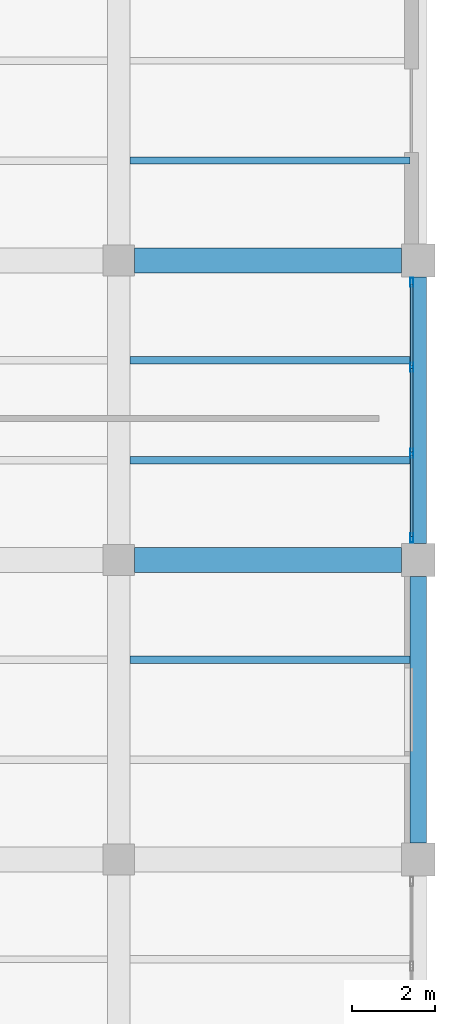
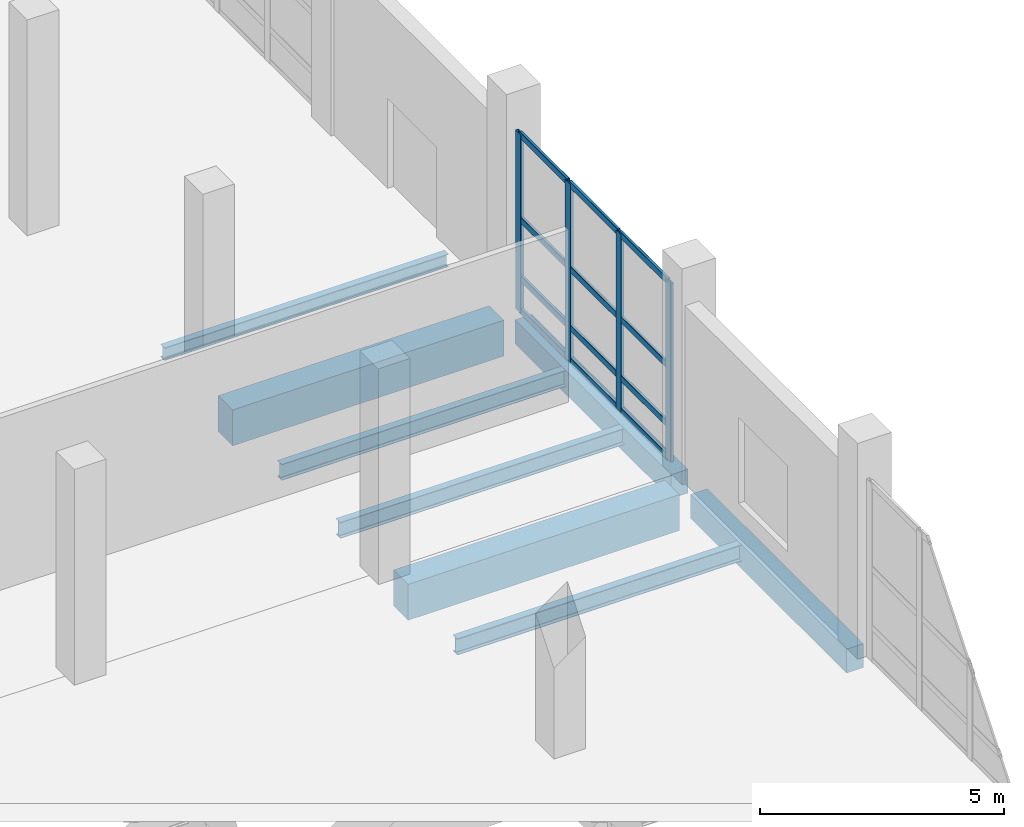
# One storey, part 67 of 137: 16 members, 8 beams, 1 element without a shape of its own.
"""IFC4 building model written with IfcOpenShell, lengths in metres."""

import ifcopenshell
import ifcopenshell.guid

model = None  # the IFC model being written
_history = None  # IfcOwnerHistory: only IFC2X3 demands one
_inside = {}  # id of a spatial element -> (the spatial element, [elements in it])
_under = {}  # id of a project, library or spatial element -> (it, [spatial elements below it])
_declared = {}  # id of a project -> (the project, [libraries it declares])
_typed = {}  # id of a type object -> (the type object, [elements of that type])
_made_of = {}  # id of a material, layer set ... -> (it, [elements and type objects made of it])


def new_model(schema):
    """Start an empty IFC model of exactly this schema.

    Asked for "IFC4X3", IfcOpenShell would pick the latest addendum, in which some entities
    have other attributes; the version numbers below select the first issue.
    IFC2X3 requires an IfcOwnerHistory on every rooted entity: one is made here for all.
    """
    global model, _history
    if schema == "IFC4X3":
        model = ifcopenshell.file(schema_version=(4, 3, 0, 0))
    else:
        model = ifcopenshell.file(schema=schema)
    _inside.clear()
    _under.clear()
    _declared.clear()
    _typed.clear()
    _made_of.clear()
    _history = None
    if model.schema == "IFC2X3":
        org = make("IfcOrganization", Name="unknown")
        user = make(
            "IfcPersonAndOrganization",
            ThePerson=make("IfcPerson", FamilyName="unknown"),
            TheOrganization=org,
        )
        app = make(
            "IfcApplication",
            ApplicationDeveloper=org,
            Version="unknown",
            ApplicationFullName="unknown",
            ApplicationIdentifier="unknown",
        )
        _history = make(
            "IfcOwnerHistory",
            OwningUser=user,
            OwningApplication=app,
            ChangeAction="ADDED",
            CreationDate=0,
        )
    return model


def make(cls, **values):
    """One entity of the class cls with the attributes given. An attribute that is None is left unset."""
    return model.create_entity(
        cls, **{name: value for name, value in values.items() if value is not None}
    )


def rooted(cls, **values):
    """An entity with a GlobalId (a new one), such as an element, a storey or a relation."""
    return make(cls, GlobalId=ifcopenshell.guid.new(), OwnerHistory=_history, **values)


def si_unit(unit_type, name, prefix=None):
    """IfcSIUnit, for example si_unit("LENGTHUNIT", "METRE", prefix="MILLI")."""
    return make("IfcSIUnit", UnitType=unit_type, Prefix=prefix, Name=name)


def assignment(units):
    """IfcUnitAssignment: the units of a project."""
    return None if units is None else make("IfcUnitAssignment", Units=units)


def point(xyz):
    """IfcCartesianPoint."""
    return None if xyz is None else make("IfcCartesianPoint", Coordinates=xyz)


def direction(xyz):
    """IfcDirection."""
    return None if xyz is None else make("IfcDirection", DirectionRatios=xyz)


def frame(location, z_axis=None, x_axis=None):
    """IfcAxis2Placement3D, a coordinate frame: its origin and axes. An axis left out is left unset."""
    return make(
        "IfcAxis2Placement3D",
        Location=point(location),
        Axis=direction(z_axis),
        RefDirection=direction(x_axis),
    )


def frame_2d(location, x_axis=None):
    """IfcAxis2Placement2D, a coordinate frame in the plane: its origin and x axis."""
    return make(
        "IfcAxis2Placement2D", Location=point(location), RefDirection=direction(x_axis)
    )


def origin():
    """The frame at (0, 0, 0) with its axes left unset."""
    return frame((0.0, 0.0, 0.0))


def origin_2d():
    """The frame at (0, 0) in the plane with its x axis left unset."""
    return frame_2d((0.0, 0.0))


def place(relative_to, where):
    """IfcLocalPlacement: puts the frame where relative to a parent placement (None: the world)."""
    return make(
        "IfcLocalPlacement", PlacementRelTo=relative_to, RelativePlacement=where
    )


def context(
    kind, dimensions, precision=None, world=None, true_north=None, identifier=None
):
    """IfcGeometricRepresentationContext, for example the 3D "Model" context."""
    return make(
        "IfcGeometricRepresentationContext",
        ContextIdentifier=identifier,
        ContextType=kind,
        CoordinateSpaceDimension=dimensions,
        Precision=precision,
        WorldCoordinateSystem=world,
        TrueNorth=true_north,
    )


def subcontext(parent, identifier, kind, view, scale=None):
    """IfcGeometricRepresentationSubContext, for example "Body" below "Model"."""
    return make(
        "IfcGeometricRepresentationSubContext",
        ContextIdentifier=identifier,
        ContextType=kind,
        ParentContext=parent,
        TargetScale=scale,
        TargetView=view,
    )


def project(units=None, contexts=None):
    """IfcProject with its units and contexts."""
    return rooted(
        "IfcProject",
        Name="project",
        RepresentationContexts=contexts,
        UnitsInContext=assignment(units),
    )


def spatial(cls, under=None, at=None, **own):
    """A site, building, storey or space (cls), placed at a placement, below another one or the project."""
    s = rooted(cls, ObjectPlacement=at, **own)
    if under is not None:
        _under.setdefault(under.id(), (under, []))[1].append(s)
    return s


def profile(cls, at=None, kind="AREA", **sizes):
    """A parametric profile (cls). Its sizes go by their IFC names, for example OverallWidth=200.0."""
    return make(cls, ProfileType=kind, Position=at, **sizes)


def rectangle(**sizes):
    """IfcRectangleProfileDef."""
    return profile("IfcRectangleProfileDef", **sizes)


def hollow_rectangle(**sizes):
    """IfcRectangleHollowProfileDef."""
    return profile("IfcRectangleHollowProfileDef", **sizes)


def i_section(**sizes):
    """IfcIShapeProfileDef."""
    return profile("IfcIShapeProfileDef", **sizes)


def extrude(swept, where, along, depth):
    """IfcExtrudedAreaSolid: the profile swept, set in the frame where, extruded along a direction by depth."""
    return make(
        "IfcExtrudedAreaSolid",
        SweptArea=swept,
        Position=where,
        ExtrudedDirection=direction(along),
        Depth=depth,
    )


def shape(context_of_items, identifier, shape_type, items):
    """IfcShapeRepresentation: the items that make up one representation, for example the "Body"."""
    return make(
        "IfcShapeRepresentation",
        ContextOfItems=context_of_items,
        RepresentationIdentifier=identifier,
        RepresentationType=shape_type,
        Items=items,
    )


def material(Name=None, Category=None):
    """IfcMaterial."""
    return make("IfcMaterial", Name=Name, Category=Category)


def material_profile(
    of_material, cross_section, Name=None, Category=None, Priority=None
):
    """IfcMaterialProfile: a cross section and its material."""
    return make(
        "IfcMaterialProfile",
        Name=Name,
        Material=of_material,
        Profile=cross_section,
        Priority=Priority,
        Category=Category,
    )


def profile_set(profiles, Name=None, composite=None):
    """IfcMaterialProfileSet."""
    return make(
        "IfcMaterialProfileSet",
        Name=Name,
        MaterialProfiles=profiles,
        CompositeProfile=composite,
    )


def made_of(thing, what):
    """Note that an element or type object is made of a material, layer set ...; save() writes the relation."""
    if what is not None:
        _made_of.setdefault(what.id(), (what, []))[1].append(thing)
    return thing


def type_object(cls, material=None, **own):
    """A type object (cls), such as IfcWallType, which elements share."""
    return made_of(rooted(cls, **own), material)


def element(
    cls,
    number,
    at=None,
    inside=None,
    cuts=None,
    type_object=None,
    material=None,
    context=None,
    identifier="Body",
    shape_type=None,
    held_by="IfcProductDefinitionShape",
    body=None,
    shapes=None,
    **own,
):
    """One element of the class cls, such as IfcWall. Its Tag is "e" and its number.

    at: its placement. inside: the storey or other place that contains it. cuts: it is an
    opening in that element (IfcRelVoidsElement). A single representation is given by context,
    identifier, shape_type and body (its items); several are given by shapes. held_by: the class
    of the entity that holds the representations. save() writes the other relations.
    """
    e = rooted(cls, Tag="e%d" % number, ObjectPlacement=at, **own)
    if body is not None:
        shapes = [shape(context, identifier, shape_type, body)]
    if shapes is not None:
        e.Representation = make(held_by, Representations=shapes)
    if inside is not None:
        _inside.setdefault(inside.id(), (inside, []))[1].append(e)
    if cuts is not None:
        rooted(
            "IfcRelVoidsElement", RelatingBuildingElement=cuts, RelatedOpeningElement=e
        )
    if type_object is not None:
        _typed.setdefault(type_object.id(), (type_object, []))[1].append(e)
    return made_of(e, material)


def aggregate(whole, parts):
    """IfcRelAggregates: a whole, such as a stair, and the parts it consists of."""
    return rooted("IfcRelAggregates", RelatingObject=whole, RelatedObjects=parts)


def save(model, path):
    """Write the relations noted so far, then the file.

    IfcRelAggregates (storeys below a building ...), IfcRelContainedInSpatialStructure (elements
    in a storey), IfcRelDefinesByType, IfcRelAssociatesMaterial and IfcRelDeclares: one each for
    every whole, place, type object, material and project.
    """
    for whole, parts in _under.values():
        aggregate(whole, parts)
    for where, things in _inside.values():
        rooted(
            "IfcRelContainedInSpatialStructure",
            RelatedElements=things,
            RelatingStructure=where,
        )
    for kind, things in _typed.values():
        rooted("IfcRelDefinesByType", RelatedObjects=things, RelatingType=kind)
    for what, things in _made_of.values():
        rooted("IfcRelAssociatesMaterial", RelatedObjects=things, RelatingMaterial=what)
    for by, libraries in _declared.values():
        rooted("IfcRelDeclares", RelatingContext=by, RelatedDefinitions=libraries)
    model.write(path)


model = new_model("IFC4")

# Units and contexts
model_context = context("Model", 3, precision=1e-05, world=origin(), true_north=direction((0.0, 1.0)))
body_context = subcontext(model_context, "Body", "Model", "MODEL_VIEW")
ifc_project = project(units=[si_unit("LENGTHUNIT", "METRE"), si_unit("AREAUNIT", "SQUARE_METRE"), si_unit("VOLUMEUNIT", "CUBIC_METRE"), si_unit("PLANEANGLEUNIT", "RADIAN"), si_unit("MASSUNIT", "GRAM", prefix="KILO")], contexts=[model_context])

# Site, building, storey
site_placement = place(None, origin())
site = spatial("IfcSite", under=ifc_project, at=site_placement, CompositionType="ELEMENT")
building_placement = place(site_placement, origin())
building = spatial("IfcBuilding", under=site, at=building_placement, Name="Kalmorath City Hall", CompositionType="ELEMENT")
storey_placement = place(building_placement, origin())
storey = spatial("IfcBuildingStorey", under=building, at=storey_placement, Name="L00", CompositionType="ELEMENT", Elevation=0.0)

# Beams
ifc_material_1 = material(Name="Concrete C40/50", Category="concrete")
ifc_material_profile_1 = material_profile(ifc_material_1, rectangle(XDim=0.39990234375, YDim=0.60009765625, at=origin_2d()), Name="RC-BM-400X600")
ifc_profile_set_1 = profile_set([ifc_material_profile_1], Name="Concrete C40/50")
beam_type_1 = type_object("IfcBeamType", Name="Concrete edge beam 400x600", PredefinedType="SPANDREL", material=ifc_profile_set_1)
for number, where, z_axis, x_axis, name in (
    (1, (165.60009765625, 14.800048828125, -0.60400390625), (0.0, 1.0, 0.0), (-1.0, 0.0, 0.0), "L00 girder CB6 Y24/3-4"),
    (2, (165.60009765625, 22.0, -0.60400390625), (0.0, 1.0, 0.0), (-1.0, 0.0, 0.0), "L00 girder CB6 Y24/4-5"),
):
    element("IfcBeam", number, at=place(storey_placement, frame(where, z_axis=z_axis, x_axis=x_axis)), inside=storey, type_object=beam_type_1, Name=name, PredefinedType="SPANDREL", context=body_context, shape_type="SweptSolid", body=[
        extrude(rectangle(XDim=0.39990234375, YDim=0.60009765625, at=origin_2d()), origin(), (0.0, 0.0, 1.0), 6.39990234375),
    ])
ifc_material_2 = material(Name="Concrete C40/50", Category="concrete")
ifc_material_profile_2 = material_profile(ifc_material_2, rectangle(XDim=0.60009765625, YDim=0.89990234375, at=origin_2d()), Name="RC-BM-600X900")
ifc_profile_set_2 = profile_set([ifc_material_profile_2], Name="Concrete C40/50")
beam_type_2 = type_object("IfcBeamType", Name="Concrete floor girder 600x900", PredefinedType="BEAM", material=ifc_profile_set_2)
for number, where, z_axis, x_axis, name in (
    (3, (158.77490234375, 21.60009765625, -0.75390625), (1.0, 0.0, 0.0), (0.0, 1.0, 0.0), "L00 girder CB1 X23-24/4"),
    (4, (158.77490234375, 28.800048828125, -0.75390625), (1.0, 0.0, 0.0), (0.0, 1.0, 0.0), "L00 girder CB1 X23-24/5"),
):
    element("IfcBeam", number, at=place(storey_placement, frame(where, z_axis=z_axis, x_axis=x_axis)), inside=storey, type_object=beam_type_2, Name=name, PredefinedType="BEAM", context=body_context, shape_type="SweptSolid", body=[
        extrude(rectangle(XDim=0.60009765625, YDim=0.89990234375, at=origin_2d()), origin(), (0.0, 0.0, 1.0), 6.425048828125),
    ])

# Curtain wall, members
ifc_material_3 = material(Name="Anodised aluminium and laminated glass", Category="aluminium")
curtain_wall_type = type_object("IfcCurtainWallType", Name="Unitised hurricane curtain wall 6220x4461 M1800", PredefinedType="NOTDEFINED", material=ifc_material_3)
curtain_wall_placement = place(storey_placement, origin())
curtain_wall = element("IfcCurtainWall", 5, at=curtain_wall_placement, inside=storey, type_object=curtain_wall_type, Name="L00 curtain wall CW-62X45M18 #10", PredefinedType="NOTDEFINED")
ifc_material_4 = material(Name="Anodised aluminium framing", Category="aluminium")
ifc_material_profile_3 = material_profile(ifc_material_4, hollow_rectangle(XDim=0.074951171875, YDim=0.219970703125, WallThickness=0.00390625, InnerFilletRadius=0.00390625, OuterFilletRadius=0.008056640625, at=origin_2d()), Name="ALU-MUL-220X75X4")
ifc_profile_set_3 = profile_set([ifc_material_profile_3], Name="Anodised aluminium framing")
member_type_1 = type_object("IfcMemberType", Name="Curtain-wall primary mullion 220x75", PredefinedType="MULLION", material=ifc_profile_set_3)
member_1_placement = place(storey_placement, frame((165.43994140625, 28.2724609375, 0.0), z_axis=(0.0, 0.0, 1.0), x_axis=(1.0, 0.0, 0.0)))
member_1 = element("IfcMember", 6, at=member_1_placement, type_object=member_type_1, Name="CW-62X45M18 mullion 1", PredefinedType="MULLION", context=body_context, shape_type="SweptSolid", body=[
    extrude(hollow_rectangle(XDim=0.074951171875, YDim=0.219970703125, WallThickness=0.00390625, InnerFilletRadius=0.00390625, OuterFilletRadius=0.008056640625, at=origin_2d()), origin(), (0.0, 0.0, 1.0), 4.4609375),
])
member_2_placement = place(storey_placement, frame((165.43994140625, 26.236572265625, 0.0), z_axis=(0.0, 0.0, 1.0), x_axis=(1.0, 0.0, 0.0)))
member_2 = element("IfcMember", 7, at=member_2_placement, type_object=member_type_1, Name="CW-62X45M18 mullion 2", PredefinedType="MULLION", context=body_context, shape_type="SweptSolid", body=[
    extrude(hollow_rectangle(XDim=0.074951171875, YDim=0.219970703125, WallThickness=0.00390625, InnerFilletRadius=0.00390625, OuterFilletRadius=0.008056640625, at=origin_2d()), origin(), (0.0, 0.0, 1.0), 4.4609375),
])
member_3_placement = place(storey_placement, frame((165.43994140625, 24.163330078125, 0.0), z_axis=(0.0, 0.0, 1.0), x_axis=(1.0, 0.0, 0.0)))
member_3 = element("IfcMember", 8, at=member_3_placement, type_object=member_type_1, Name="CW-62X45M18 mullion 3", PredefinedType="MULLION", context=body_context, shape_type="SweptSolid", body=[
    extrude(hollow_rectangle(XDim=0.074951171875, YDim=0.219970703125, WallThickness=0.00390625, InnerFilletRadius=0.00390625, OuterFilletRadius=0.008056640625, at=origin_2d()), origin(), (0.0, 0.0, 1.0), 4.4609375),
])
member_4_placement = place(storey_placement, frame((165.43994140625, 22.12744140625, 0.0), z_axis=(0.0, 0.0, 1.0), x_axis=(1.0, 0.0, 0.0)))
member_4 = element("IfcMember", 9, at=member_4_placement, type_object=member_type_1, Name="CW-62X45M18 mullion 4", PredefinedType="MULLION", context=body_context, shape_type="SweptSolid", body=[
    extrude(hollow_rectangle(XDim=0.074951171875, YDim=0.219970703125, WallThickness=0.00390625, InnerFilletRadius=0.00390625, OuterFilletRadius=0.008056640625, at=origin_2d()), origin(), (0.0, 0.0, 1.0), 4.4609375),
])
ifc_material_5 = material(Name="Anodised aluminium framing", Category="aluminium")
ifc_material_profile_4 = material_profile(ifc_material_5, hollow_rectangle(XDim=0.06494140625, YDim=0.159912109375, WallThickness=0.00390625, InnerFilletRadius=0.00390625, OuterFilletRadius=0.008056640625, at=origin_2d()), Name="ALU-TRN-160X65X4")
ifc_profile_set_4 = profile_set([ifc_material_profile_4], Name="Anodised aluminium framing")
member_type_2 = type_object("IfcMemberType", Name="Curtain-wall primary transom 160x65", PredefinedType="USERDEFINED", material=ifc_profile_set_4)
member_5_placement = place(storey_placement, frame((165.43994140625, 28.235107421875, 0.032470703125), z_axis=(0.0, -1.0, 0.0), x_axis=(1.0, 0.0, 0.0)))
member_5 = element("IfcMember", 10, at=member_5_placement, type_object=member_type_2, Name="CW-62X45M18 transom 1.1", ObjectType="TRANSOM", PredefinedType="USERDEFINED", context=body_context, shape_type="SweptSolid", body=[
    extrude(hollow_rectangle(XDim=0.06494140625, YDim=0.159912109375, WallThickness=0.00390625, InnerFilletRadius=0.00390625, OuterFilletRadius=0.008056640625, at=origin_2d()), origin(), (0.0, 0.0, 1.0), 1.9609375),
])
member_6_placement = place(storey_placement, frame((165.43994140625, 28.235107421875, 0.85009765625), z_axis=(0.0, -1.0, 0.0), x_axis=(1.0, 0.0, 0.0)))
member_6 = element("IfcMember", 11, at=member_6_placement, type_object=member_type_2, Name="CW-62X45M18 transom 1.2", ObjectType="TRANSOM", PredefinedType="USERDEFINED", context=body_context, shape_type="SweptSolid", body=[
    extrude(hollow_rectangle(XDim=0.06494140625, YDim=0.159912109375, WallThickness=0.00390625, InnerFilletRadius=0.00390625, OuterFilletRadius=0.008056640625, at=origin_2d()), origin(), (0.0, 0.0, 1.0), 1.9609375),
])
member_7_placement = place(storey_placement, frame((165.43994140625, 28.235107421875, 2.320068359375), z_axis=(0.0, -1.0, 0.0), x_axis=(1.0, 0.0, 0.0)))
member_7 = element("IfcMember", 12, at=member_7_placement, type_object=member_type_2, Name="CW-62X45M18 transom 1.3", ObjectType="TRANSOM", PredefinedType="USERDEFINED", context=body_context, shape_type="SweptSolid", body=[
    extrude(hollow_rectangle(XDim=0.06494140625, YDim=0.159912109375, WallThickness=0.00390625, InnerFilletRadius=0.00390625, OuterFilletRadius=0.008056640625, at=origin_2d()), origin(), (0.0, 0.0, 1.0), 1.9609375),
])
member_8_placement = place(storey_placement, frame((165.43994140625, 28.235107421875, 4.428466796875), z_axis=(0.0, -1.0, 0.0), x_axis=(1.0, 0.0, 0.0)))
member_8 = element("IfcMember", 13, at=member_8_placement, type_object=member_type_2, Name="CW-62X45M18 transom 1.4", ObjectType="TRANSOM", PredefinedType="USERDEFINED", context=body_context, shape_type="SweptSolid", body=[
    extrude(hollow_rectangle(XDim=0.06494140625, YDim=0.159912109375, WallThickness=0.00390625, InnerFilletRadius=0.00390625, OuterFilletRadius=0.008056640625, at=origin_2d()), origin(), (0.0, 0.0, 1.0), 1.9609375),
])
member_9_placement = place(storey_placement, frame((165.43994140625, 26.19921875, 0.032470703125), z_axis=(0.0, -1.0, 0.0), x_axis=(1.0, 0.0, 0.0)))
member_9 = element("IfcMember", 14, at=member_9_placement, type_object=member_type_2, Name="CW-62X45M18 transom 2.1", ObjectType="TRANSOM", PredefinedType="USERDEFINED", context=body_context, shape_type="SweptSolid", body=[
    extrude(hollow_rectangle(XDim=0.06494140625, YDim=0.159912109375, WallThickness=0.00390625, InnerFilletRadius=0.00390625, OuterFilletRadius=0.008056640625, at=origin_2d()), origin(), (0.0, 0.0, 1.0), 1.998291015625),
])
member_10_placement = place(storey_placement, frame((165.43994140625, 26.19921875, 0.85009765625), z_axis=(0.0, -1.0, 0.0), x_axis=(1.0, 0.0, 0.0)))
member_10 = element("IfcMember", 15, at=member_10_placement, type_object=member_type_2, Name="CW-62X45M18 transom 2.2", ObjectType="TRANSOM", PredefinedType="USERDEFINED", context=body_context, shape_type="SweptSolid", body=[
    extrude(hollow_rectangle(XDim=0.06494140625, YDim=0.159912109375, WallThickness=0.00390625, InnerFilletRadius=0.00390625, OuterFilletRadius=0.008056640625, at=origin_2d()), origin(), (0.0, 0.0, 1.0), 1.998291015625),
])
member_11_placement = place(storey_placement, frame((165.43994140625, 26.19921875, 2.320068359375), z_axis=(0.0, -1.0, 0.0), x_axis=(1.0, 0.0, 0.0)))
member_11 = element("IfcMember", 16, at=member_11_placement, type_object=member_type_2, Name="CW-62X45M18 transom 2.3", ObjectType="TRANSOM", PredefinedType="USERDEFINED", context=body_context, shape_type="SweptSolid", body=[
    extrude(hollow_rectangle(XDim=0.06494140625, YDim=0.159912109375, WallThickness=0.00390625, InnerFilletRadius=0.00390625, OuterFilletRadius=0.008056640625, at=origin_2d()), origin(), (0.0, 0.0, 1.0), 1.998291015625),
])
member_12_placement = place(storey_placement, frame((165.43994140625, 26.19921875, 4.428466796875), z_axis=(0.0, -1.0, 0.0), x_axis=(1.0, 0.0, 0.0)))
member_12 = element("IfcMember", 17, at=member_12_placement, type_object=member_type_2, Name="CW-62X45M18 transom 2.4", ObjectType="TRANSOM", PredefinedType="USERDEFINED", context=body_context, shape_type="SweptSolid", body=[
    extrude(hollow_rectangle(XDim=0.06494140625, YDim=0.159912109375, WallThickness=0.00390625, InnerFilletRadius=0.00390625, OuterFilletRadius=0.008056640625, at=origin_2d()), origin(), (0.0, 0.0, 1.0), 1.998291015625),
])
member_13_placement = place(storey_placement, frame((165.43994140625, 24.125732421875, 0.032470703125), z_axis=(0.0, -1.0, 0.0), x_axis=(1.0, 0.0, 0.0)))
member_13 = element("IfcMember", 18, at=member_13_placement, type_object=member_type_2, Name="CW-62X45M18 transom 3.1", ObjectType="TRANSOM", PredefinedType="USERDEFINED", context=body_context, shape_type="SweptSolid", body=[
    extrude(hollow_rectangle(XDim=0.06494140625, YDim=0.159912109375, WallThickness=0.00390625, InnerFilletRadius=0.00390625, OuterFilletRadius=0.008056640625, at=origin_2d()), origin(), (0.0, 0.0, 1.0), 1.960693359375),
])
member_14_placement = place(storey_placement, frame((165.43994140625, 24.125732421875, 0.85009765625), z_axis=(0.0, -1.0, 0.0), x_axis=(1.0, 0.0, 0.0)))
member_14 = element("IfcMember", 19, at=member_14_placement, type_object=member_type_2, Name="CW-62X45M18 transom 3.2", ObjectType="TRANSOM", PredefinedType="USERDEFINED", context=body_context, shape_type="SweptSolid", body=[
    extrude(hollow_rectangle(XDim=0.06494140625, YDim=0.159912109375, WallThickness=0.00390625, InnerFilletRadius=0.00390625, OuterFilletRadius=0.008056640625, at=origin_2d()), origin(), (0.0, 0.0, 1.0), 1.960693359375),
])
member_15_placement = place(storey_placement, frame((165.43994140625, 24.125732421875, 2.320068359375), z_axis=(0.0, -1.0, 0.0), x_axis=(1.0, 0.0, 0.0)))
member_15 = element("IfcMember", 20, at=member_15_placement, type_object=member_type_2, Name="CW-62X45M18 transom 3.3", ObjectType="TRANSOM", PredefinedType="USERDEFINED", context=body_context, shape_type="SweptSolid", body=[
    extrude(hollow_rectangle(XDim=0.06494140625, YDim=0.159912109375, WallThickness=0.00390625, InnerFilletRadius=0.00390625, OuterFilletRadius=0.008056640625, at=origin_2d()), origin(), (0.0, 0.0, 1.0), 1.960693359375),
])
member_16_placement = place(storey_placement, frame((165.43994140625, 24.125732421875, 4.428466796875), z_axis=(0.0, -1.0, 0.0), x_axis=(1.0, 0.0, 0.0)))
member_16 = element("IfcMember", 21, at=member_16_placement, type_object=member_type_2, Name="CW-62X45M18 transom 3.4", ObjectType="TRANSOM", PredefinedType="USERDEFINED", context=body_context, shape_type="SweptSolid", body=[
    extrude(hollow_rectangle(XDim=0.06494140625, YDim=0.159912109375, WallThickness=0.00390625, InnerFilletRadius=0.00390625, OuterFilletRadius=0.008056640625, at=origin_2d()), origin(), (0.0, 0.0, 1.0), 1.960693359375),
])
aggregate(curtain_wall, [member_1, member_2, member_3, member_4, member_5, member_6, member_7, member_8, member_9, member_10, member_11, member_12, member_13, member_14, member_15, member_16])

# Beams
ifc_material_6 = material(Name="Steel ASTM A992 Grade 50", Category="steel")
ifc_material_profile_5 = material_profile(ifc_material_6, i_section(OverallWidth=0.177001953125, OverallDepth=0.403076171875, WebThickness=0.007568359375, FlangeThickness=0.010986328125, FilletRadius=0.012939453125, at=origin_2d()), Name="W16X36")
ifc_profile_set_5 = profile_set([ifc_material_profile_5], Name="Steel ASTM A992 Grade 50")
beam_type_3 = type_object("IfcBeamType", Name="Steel composite joist W16X36", PredefinedType="JOIST", material=ifc_profile_set_5)
for number, where, z_axis, x_axis, name in (
    (22, (158.675048828125, 24.0, -0.505615234375), (1.0, 0.0, 0.0), (0.0, 1.0, 0.0), "L00 joist SJ7 23.4.1"),
    (23, (158.675048828125, 26.39990234375, -0.505615234375), (1.0, 0.0, 0.0), (0.0, 1.0, 0.0), "L00 joist SJ7 23.4.2"),
):
    element("IfcBeam", number, at=place(storey_placement, frame(where, z_axis=z_axis, x_axis=x_axis)), inside=storey, type_object=beam_type_3, Name=name, PredefinedType="JOIST", context=body_context, shape_type="SweptSolid", body=[
        extrude(i_section(OverallWidth=0.177001953125, OverallDepth=0.403076171875, WebThickness=0.007568359375, FlangeThickness=0.010986328125, FilletRadius=0.012939453125, at=origin_2d()), origin(), (0.0, 0.0, 1.0), 6.724853515625),
    ])
ifc_material_7 = material(Name="Steel ASTM A992 Grade 50", Category="steel")
ifc_material_profile_6 = material_profile(ifc_material_7, i_section(OverallWidth=0.178955078125, OverallDepth=0.409912109375, WebThickness=0.0087890625, FlangeThickness=0.014404296875, FilletRadius=0.012939453125, at=origin_2d()), Name="W16X45")
ifc_profile_set_6 = profile_set([ifc_material_profile_6], Name="Steel ASTM A992 Grade 50")
beam_type_4 = type_object("IfcBeamType", Name="Steel composite joist W16X45", PredefinedType="JOIST", material=ifc_profile_set_6)
beam_1_placement = place(storey_placement, frame((158.675048828125, 19.199951171875, -0.509033203125), z_axis=(1.0, 0.0, 0.0), x_axis=(0.0, 1.0, 0.0)))
element("IfcBeam", 24, at=beam_1_placement, inside=storey, type_object=beam_type_4, Name="L00 joist SJ6 23.3.2", PredefinedType="JOIST", context=body_context, shape_type="SweptSolid", body=[
    extrude(i_section(OverallWidth=0.178955078125, OverallDepth=0.409912109375, WebThickness=0.0087890625, FlangeThickness=0.014404296875, FilletRadius=0.012939453125, at=origin_2d()), origin(), (0.0, 0.0, 1.0), 6.724853515625),
])
ifc_material_8 = material(Name="Steel ASTM A992 Grade 50", Category="steel")
ifc_material_profile_7 = material_profile(ifc_material_8, i_section(OverallWidth=0.1669921875, OverallDepth=0.318115234375, WebThickness=0.007568359375, FlangeThickness=0.01318359375, FilletRadius=0.012939453125, at=origin_2d()), Name="W12X35")
ifc_profile_set_7 = profile_set([ifc_material_profile_7], Name="Steel ASTM A992 Grade 50")
beam_type_5 = type_object("IfcBeamType", Name="Steel header lintel W12X35", PredefinedType="LINTEL", material=ifc_profile_set_7)
beam_2_placement = place(storey_placement, frame((158.675048828125, 31.199951171875, -0.462890625), z_axis=(1.0, 0.0, 0.0), x_axis=(0.0, 1.0, 0.0)))
element("IfcBeam", 25, at=beam_2_placement, inside=storey, type_object=beam_type_5, Name="L00 joist SJ13 23.5.1", PredefinedType="LINTEL", context=body_context, shape_type="SweptSolid", body=[
    extrude(i_section(OverallWidth=0.1669921875, OverallDepth=0.318115234375, WebThickness=0.007568359375, FlangeThickness=0.01318359375, FilletRadius=0.012939453125, at=origin_2d()), origin(), (0.0, 0.0, 1.0), 6.724853515625),
])

save(model, "model.ifc")
